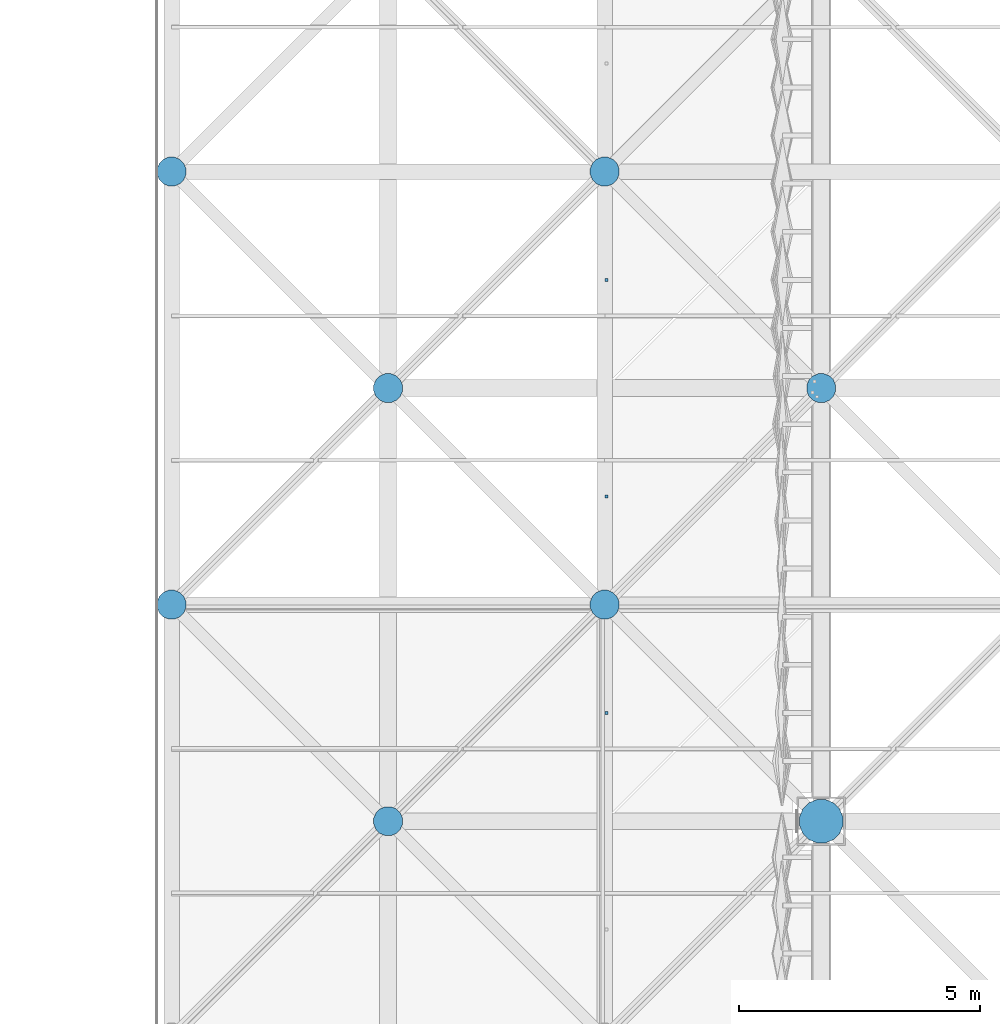
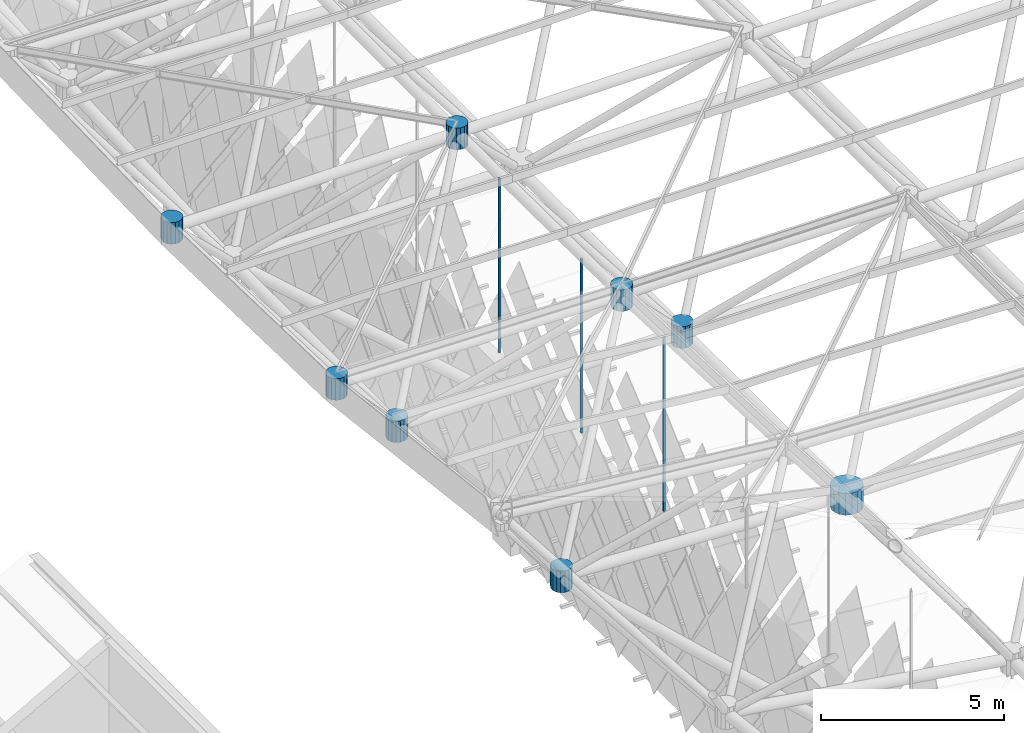
# One storey, part 292 of 437: 11 discrete accessories.
"""IFC4 building model written with IfcOpenShell, lengths in metres."""

import ifcopenshell
import ifcopenshell.guid

model = None  # the IFC model being written
_history = None  # IfcOwnerHistory: only IFC2X3 demands one
_inside = {}  # id of a spatial element -> (the spatial element, [elements in it])
_under = {}  # id of a project, library or spatial element -> (it, [spatial elements below it])
_declared = {}  # id of a project -> (the project, [libraries it declares])
_typed = {}  # id of a type object -> (the type object, [elements of that type])
_made_of = {}  # id of a material, layer set ... -> (it, [elements and type objects made of it])


def new_model(schema):
    """Start an empty IFC model of exactly this schema.

    Asked for "IFC4X3", IfcOpenShell would pick the latest addendum, in which some entities
    have other attributes; the version numbers below select the first issue.
    IFC2X3 requires an IfcOwnerHistory on every rooted entity: one is made here for all.
    """
    global model, _history
    if schema == "IFC4X3":
        model = ifcopenshell.file(schema_version=(4, 3, 0, 0))
    else:
        model = ifcopenshell.file(schema=schema)
    _inside.clear()
    _under.clear()
    _declared.clear()
    _typed.clear()
    _made_of.clear()
    _history = None
    if model.schema == "IFC2X3":
        org = make("IfcOrganization", Name="unknown")
        user = make(
            "IfcPersonAndOrganization",
            ThePerson=make("IfcPerson", FamilyName="unknown"),
            TheOrganization=org,
        )
        app = make(
            "IfcApplication",
            ApplicationDeveloper=org,
            Version="unknown",
            ApplicationFullName="unknown",
            ApplicationIdentifier="unknown",
        )
        _history = make(
            "IfcOwnerHistory",
            OwningUser=user,
            OwningApplication=app,
            ChangeAction="ADDED",
            CreationDate=0,
        )
    return model


def make(cls, **values):
    """One entity of the class cls with the attributes given. An attribute that is None is left unset."""
    return model.create_entity(
        cls, **{name: value for name, value in values.items() if value is not None}
    )


def rooted(cls, **values):
    """An entity with a GlobalId (a new one), such as an element, a storey or a relation."""
    return make(cls, GlobalId=ifcopenshell.guid.new(), OwnerHistory=_history, **values)


def si_unit(unit_type, name, prefix=None):
    """IfcSIUnit, for example si_unit("LENGTHUNIT", "METRE", prefix="MILLI")."""
    return make("IfcSIUnit", UnitType=unit_type, Prefix=prefix, Name=name)


def assignment(units):
    """IfcUnitAssignment: the units of a project."""
    return None if units is None else make("IfcUnitAssignment", Units=units)


def point(xyz):
    """IfcCartesianPoint."""
    return None if xyz is None else make("IfcCartesianPoint", Coordinates=xyz)


def direction(xyz):
    """IfcDirection."""
    return None if xyz is None else make("IfcDirection", DirectionRatios=xyz)


def frame(location, z_axis=None, x_axis=None):
    """IfcAxis2Placement3D, a coordinate frame: its origin and axes. An axis left out is left unset."""
    return make(
        "IfcAxis2Placement3D",
        Location=point(location),
        Axis=direction(z_axis),
        RefDirection=direction(x_axis),
    )


def origin():
    """The frame at (0, 0, 0) with its axes left unset."""
    return frame((0.0, 0.0, 0.0))


def place(relative_to, where):
    """IfcLocalPlacement: puts the frame where relative to a parent placement (None: the world)."""
    return make(
        "IfcLocalPlacement", PlacementRelTo=relative_to, RelativePlacement=where
    )


def context(
    kind, dimensions, precision=None, world=None, true_north=None, identifier=None
):
    """IfcGeometricRepresentationContext, for example the 3D "Model" context."""
    return make(
        "IfcGeometricRepresentationContext",
        ContextIdentifier=identifier,
        ContextType=kind,
        CoordinateSpaceDimension=dimensions,
        Precision=precision,
        WorldCoordinateSystem=world,
        TrueNorth=true_north,
    )


def subcontext(parent, identifier, kind, view, scale=None):
    """IfcGeometricRepresentationSubContext, for example "Body" below "Model"."""
    return make(
        "IfcGeometricRepresentationSubContext",
        ContextIdentifier=identifier,
        ContextType=kind,
        ParentContext=parent,
        TargetScale=scale,
        TargetView=view,
    )


def project(units=None, contexts=None):
    """IfcProject with its units and contexts."""
    return rooted(
        "IfcProject",
        Name="project",
        RepresentationContexts=contexts,
        UnitsInContext=assignment(units),
    )


def spatial(cls, under=None, at=None, **own):
    """A site, building, storey or space (cls), placed at a placement, below another one or the project."""
    s = rooted(cls, ObjectPlacement=at, **own)
    if under is not None:
        _under.setdefault(under.id(), (under, []))[1].append(s)
    return s


def polyline(points):
    """IfcPolyline through the points."""
    return make("IfcPolyline", Points=[point(p) for p in points])


def outline(outer, holes=None, kind="AREA"):
    """IfcArbitraryClosedProfileDef: a profile drawn as a closed curve; with holes, ...WithVoids."""
    if holes is None:
        return make("IfcArbitraryClosedProfileDef", ProfileType=kind, OuterCurve=outer)
    return make(
        "IfcArbitraryProfileDefWithVoids",
        ProfileType=kind,
        OuterCurve=outer,
        InnerCurves=holes,
    )


def extrude(swept, where, along, depth):
    """IfcExtrudedAreaSolid: the profile swept, set in the frame where, extruded along a direction by depth."""
    return make(
        "IfcExtrudedAreaSolid",
        SweptArea=swept,
        Position=where,
        ExtrudedDirection=direction(along),
        Depth=depth,
    )


def shape(context_of_items, identifier, shape_type, items):
    """IfcShapeRepresentation: the items that make up one representation, for example the "Body"."""
    return make(
        "IfcShapeRepresentation",
        ContextOfItems=context_of_items,
        RepresentationIdentifier=identifier,
        RepresentationType=shape_type,
        Items=items,
    )


def material(Name=None, Category=None):
    """IfcMaterial."""
    return make("IfcMaterial", Name=Name, Category=Category)


def made_of(thing, what):
    """Note that an element or type object is made of a material, layer set ...; save() writes the relation."""
    if what is not None:
        _made_of.setdefault(what.id(), (what, []))[1].append(thing)
    return thing


def type_object(cls, material=None, **own):
    """A type object (cls), such as IfcWallType, which elements share."""
    return made_of(rooted(cls, **own), material)


def element(
    cls,
    number,
    at=None,
    inside=None,
    cuts=None,
    type_object=None,
    material=None,
    context=None,
    identifier="Body",
    shape_type=None,
    held_by="IfcProductDefinitionShape",
    body=None,
    shapes=None,
    **own,
):
    """One element of the class cls, such as IfcWall. Its Tag is "e" and its number.

    at: its placement. inside: the storey or other place that contains it. cuts: it is an
    opening in that element (IfcRelVoidsElement). A single representation is given by context,
    identifier, shape_type and body (its items); several are given by shapes. held_by: the class
    of the entity that holds the representations. save() writes the other relations.
    """
    e = rooted(cls, Tag="e%d" % number, ObjectPlacement=at, **own)
    if body is not None:
        shapes = [shape(context, identifier, shape_type, body)]
    if shapes is not None:
        e.Representation = make(held_by, Representations=shapes)
    if inside is not None:
        _inside.setdefault(inside.id(), (inside, []))[1].append(e)
    if cuts is not None:
        rooted(
            "IfcRelVoidsElement", RelatingBuildingElement=cuts, RelatedOpeningElement=e
        )
    if type_object is not None:
        _typed.setdefault(type_object.id(), (type_object, []))[1].append(e)
    return made_of(e, material)


def aggregate(whole, parts):
    """IfcRelAggregates: a whole, such as a stair, and the parts it consists of."""
    return rooted("IfcRelAggregates", RelatingObject=whole, RelatedObjects=parts)


def save(model, path):
    """Write the relations noted so far, then the file.

    IfcRelAggregates (storeys below a building ...), IfcRelContainedInSpatialStructure (elements
    in a storey), IfcRelDefinesByType, IfcRelAssociatesMaterial and IfcRelDeclares: one each for
    every whole, place, type object, material and project.
    """
    for whole, parts in _under.values():
        aggregate(whole, parts)
    for where, things in _inside.values():
        rooted(
            "IfcRelContainedInSpatialStructure",
            RelatedElements=things,
            RelatingStructure=where,
        )
    for kind, things in _typed.values():
        rooted("IfcRelDefinesByType", RelatedObjects=things, RelatingType=kind)
    for what, things in _made_of.values():
        rooted("IfcRelAssociatesMaterial", RelatedObjects=things, RelatingMaterial=what)
    for by, libraries in _declared.values():
        rooted("IfcRelDeclares", RelatingContext=by, RelatedDefinitions=libraries)
    model.write(path)


model = new_model("IFC4")

# Units and contexts
model_context = context("Model", 3, precision=1e-05, world=origin(), true_north=direction((0.0, 1.0)))
body_context = subcontext(model_context, "Body", "Model", "MODEL_VIEW")
ifc_project = project(units=[si_unit("LENGTHUNIT", "METRE"), si_unit("AREAUNIT", "SQUARE_METRE"), si_unit("VOLUMEUNIT", "CUBIC_METRE"), si_unit("PLANEANGLEUNIT", "RADIAN"), si_unit("MASSUNIT", "GRAM", prefix="KILO")], contexts=[model_context])

# Site, building, storey
site_placement = place(None, origin())
site = spatial("IfcSite", under=ifc_project, at=site_placement, CompositionType="ELEMENT")
building_placement = place(site_placement, origin())
building = spatial("IfcBuilding", under=site, at=building_placement, Name="Opaline Strait Convention Centre", CompositionType="ELEMENT")
storey_placement = place(building_placement, frame((0.0, 0.0, 11.5)))
storey = spatial("IfcBuildingStorey", under=building, at=storey_placement, Name="L02", CompositionType="ELEMENT", Elevation=11.5)

# Discrete accessories
ifc_material_1 = material(Name="Steel Q355B", Category="steel")
discrete_accessory_type_1 = type_object("IfcDiscreteAccessoryType", Name="Soffit hanger 60x60 steel", PredefinedType="BRACKET", material=ifc_material_1)
discrete_accessory_1_placement = place(storey_placement, frame((0.0, 0.0, 12.1640625)))
element("IfcDiscreteAccessory", 1, at=discrete_accessory_1_placement, inside=storey, type_object=discrete_accessory_type_1, Name="Soffit hanger", PredefinedType="BRACKET", context=body_context, shape_type="SweptSolid", body=[
    extrude(outline(polyline([(94.5048828125, 92.219970703125), (94.56494140625, 92.219970703125), (94.56494140625, 92.280029296875), (94.5048828125, 92.280029296875), (94.5048828125, 92.219970703125)])), origin(), (0.0, 0.0, 1.0), 5.79443359375),
])
discrete_accessory_2_placement = place(storey_placement, frame((0.0, 0.0, 12.051513671875)))
element("IfcDiscreteAccessory", 2, at=discrete_accessory_2_placement, inside=storey, type_object=discrete_accessory_type_1, Name="Soffit hanger", PredefinedType="BRACKET", context=body_context, shape_type="SweptSolid", body=[
    extrude(outline(polyline([(94.5048828125, 96.719970703125), (94.56494140625, 96.719970703125), (94.56494140625, 96.780029296875), (94.5048828125, 96.780029296875), (94.5048828125, 96.719970703125)])), origin(), (0.0, 0.0, 1.0), 5.806640625),
])
discrete_accessory_3_placement = place(storey_placement, frame((0.0, 0.0, 11.994384765625)))
element("IfcDiscreteAccessory", 3, at=discrete_accessory_3_placement, inside=storey, type_object=discrete_accessory_type_1, Name="Soffit hanger", PredefinedType="BRACKET", context=body_context, shape_type="SweptSolid", body=[
    extrude(outline(polyline([(94.5048828125, 101.219970703125), (94.56494140625, 101.219970703125), (94.56494140625, 101.280029296875), (94.5048828125, 101.280029296875), (94.5048828125, 101.219970703125)])), origin(), (0.0, 0.0, 1.0), 5.8310546875),
])
ifc_material_2 = material(Name="Cast steel ZG300-500H (300 MPa)", Category="steel")
discrete_accessory_type_2 = type_object("IfcDiscreteAccessoryType", Name="Space frame bearing node hub D900", PredefinedType="USERDEFINED", material=ifc_material_2)
discrete_accessory_4_placement = place(storey_placement, frame((0.0, 0.0, 12.139892578125)))
element("IfcDiscreteAccessory", 4, at=discrete_accessory_4_placement, inside=storey, type_object=discrete_accessory_type_2, Name="Bottom node 2/6", ObjectType="NODE HUB", PredefinedType="USERDEFINED", context=body_context, shape_type="SweptSolid", body=[
    extrude(outline(polyline([(99.449951171875, 90.089599609375), (99.381591796875, 90.2548828125), (99.2548828125, 90.381591796875), (99.089599609375, 90.449951171875), (98.910400390625, 90.449951171875), (98.7451171875, 90.381591796875), (98.618408203125, 90.2548828125), (98.550048828125, 90.089599609375), (98.550048828125, 89.910400390625), (98.618408203125, 89.7451171875), (98.7451171875, 89.618408203125), (98.910400390625, 89.550048828125), (99.089599609375, 89.550048828125), (99.2548828125, 89.618408203125), (99.381591796875, 89.7451171875), (99.449951171875, 89.910400390625), (99.449951171875, 90.089599609375)])), origin(), (0.0, 0.0, 1.0), 0.72021484375),
])
discrete_accessory_type_3 = type_object("IfcDiscreteAccessoryType", Name="Space frame node hub D600", PredefinedType="USERDEFINED", material=ifc_material_2)
discrete_accessory_5_placement = place(storey_placement, frame((0.0, 0.0, 17.8642578125)))
element("IfcDiscreteAccessory", 5, at=discrete_accessory_5_placement, inside=storey, type_object=discrete_accessory_type_3, Name="Top node 1/7", ObjectType="NODE HUB", PredefinedType="USERDEFINED", context=body_context, shape_type="SweptSolid", body=[
    extrude(outline(polyline([(85.800048828125, 94.559814453125), (85.75439453125, 94.669921875), (85.669921875, 94.75439453125), (85.559814453125, 94.800048828125), (85.440185546875, 94.800048828125), (85.330078125, 94.75439453125), (85.24560546875, 94.669921875), (85.199951171875, 94.559814453125), (85.199951171875, 94.440185546875), (85.24560546875, 94.330078125), (85.330078125, 94.24560546875), (85.440185546875, 94.199951171875), (85.559814453125, 94.199951171875), (85.669921875, 94.24560546875), (85.75439453125, 94.330078125), (85.800048828125, 94.440185546875), (85.800048828125, 94.559814453125)])), origin(), (0.0, 0.0, 1.0), 0.719970703125),
])
discrete_accessory_6_placement = place(storey_placement, frame((0.0, 0.0, 17.611572265625)))
element("IfcDiscreteAccessory", 6, at=discrete_accessory_6_placement, inside=storey, type_object=discrete_accessory_type_3, Name="Top node 1/8", ObjectType="NODE HUB", PredefinedType="USERDEFINED", context=body_context, shape_type="SweptSolid", body=[
    extrude(outline(polyline([(85.800048828125, 103.559814453125), (85.75439453125, 103.669921875), (85.669921875, 103.75439453125), (85.559814453125, 103.800048828125), (85.440185546875, 103.800048828125), (85.330078125, 103.75439453125), (85.24560546875, 103.669921875), (85.199951171875, 103.559814453125), (85.199951171875, 103.440185546875), (85.24560546875, 103.330078125), (85.330078125, 103.24560546875), (85.440185546875, 103.199951171875), (85.559814453125, 103.199951171875), (85.669921875, 103.24560546875), (85.75439453125, 103.330078125), (85.800048828125, 103.440185546875), (85.800048828125, 103.559814453125)])), origin(), (0.0, 0.0, 1.0), 0.719970703125),
])
discrete_accessory_7_placement = place(storey_placement, frame((0.0, 0.0, 17.677001953125)))
element("IfcDiscreteAccessory", 7, at=discrete_accessory_7_placement, inside=storey, type_object=discrete_accessory_type_3, Name="Top node 2/7", ObjectType="NODE HUB", PredefinedType="USERDEFINED", context=body_context, shape_type="SweptSolid", body=[
    extrude(outline(polyline([(94.800048828125, 94.559814453125), (94.75439453125, 94.669921875), (94.669921875, 94.75439453125), (94.559814453125, 94.800048828125), (94.440185546875, 94.800048828125), (94.330078125, 94.75439453125), (94.24560546875, 94.669921875), (94.199951171875, 94.559814453125), (94.199951171875, 94.440185546875), (94.24560546875, 94.330078125), (94.330078125, 94.24560546875), (94.440185546875, 94.199951171875), (94.559814453125, 94.199951171875), (94.669921875, 94.24560546875), (94.75439453125, 94.330078125), (94.800048828125, 94.440185546875), (94.800048828125, 94.559814453125)])), origin(), (0.0, 0.0, 1.0), 0.719970703125),
])
discrete_accessory_8_placement = place(storey_placement, frame((0.0, 0.0, 17.611572265625)))
element("IfcDiscreteAccessory", 8, at=discrete_accessory_8_placement, inside=storey, type_object=discrete_accessory_type_3, Name="Top node 2/8", ObjectType="NODE HUB", PredefinedType="USERDEFINED", context=body_context, shape_type="SweptSolid", body=[
    extrude(outline(polyline([(94.800048828125, 103.559814453125), (94.75439453125, 103.669921875), (94.669921875, 103.75439453125), (94.559814453125, 103.800048828125), (94.440185546875, 103.800048828125), (94.330078125, 103.75439453125), (94.24560546875, 103.669921875), (94.199951171875, 103.559814453125), (94.199951171875, 103.440185546875), (94.24560546875, 103.330078125), (94.330078125, 103.24560546875), (94.440185546875, 103.199951171875), (94.559814453125, 103.199951171875), (94.669921875, 103.24560546875), (94.75439453125, 103.330078125), (94.800048828125, 103.440185546875), (94.800048828125, 103.559814453125)])), origin(), (0.0, 0.0, 1.0), 0.719970703125),
])
discrete_accessory_9_placement = place(storey_placement, frame((0.0, 0.0, 12.599365234375)))
element("IfcDiscreteAccessory", 9, at=discrete_accessory_9_placement, inside=storey, type_object=discrete_accessory_type_3, Name="Bottom node 1/6", ObjectType="NODE HUB", PredefinedType="USERDEFINED", context=body_context, shape_type="SweptSolid", body=[
    extrude(outline(polyline([(90.300048828125, 90.059814453125), (90.25439453125, 90.169921875), (90.169921875, 90.25439453125), (90.059814453125, 90.300048828125), (89.940185546875, 90.300048828125), (89.830078125, 90.25439453125), (89.74560546875, 90.169921875), (89.699951171875, 90.059814453125), (89.699951171875, 89.940185546875), (89.74560546875, 89.830078125), (89.830078125, 89.74560546875), (89.940185546875, 89.699951171875), (90.059814453125, 89.699951171875), (90.169921875, 89.74560546875), (90.25439453125, 89.830078125), (90.300048828125, 89.940185546875), (90.300048828125, 90.059814453125)])), origin(), (0.0, 0.0, 1.0), 0.719970703125),
])
discrete_accessory_10_placement = place(storey_placement, frame((0.0, 0.0, 12.14892578125)))
element("IfcDiscreteAccessory", 10, at=discrete_accessory_10_placement, inside=storey, type_object=discrete_accessory_type_3, Name="Bottom node 1/7", ObjectType="NODE HUB", PredefinedType="USERDEFINED", context=body_context, shape_type="SweptSolid", body=[
    extrude(outline(polyline([(90.300048828125, 99.059814453125), (90.25439453125, 99.169921875), (90.169921875, 99.25439453125), (90.059814453125, 99.300048828125), (89.940185546875, 99.300048828125), (89.830078125, 99.25439453125), (89.74560546875, 99.169921875), (89.699951171875, 99.059814453125), (89.699951171875, 98.940185546875), (89.74560546875, 98.830078125), (89.830078125, 98.74560546875), (89.940185546875, 98.699951171875), (90.059814453125, 98.699951171875), (90.169921875, 98.74560546875), (90.25439453125, 98.830078125), (90.300048828125, 98.940185546875), (90.300048828125, 99.059814453125)])), origin(), (0.0, 0.0, 1.0), 0.719970703125),
])
discrete_accessory_11_placement = place(storey_placement, frame((0.0, 0.0, 12.139892578125)))
element("IfcDiscreteAccessory", 11, at=discrete_accessory_11_placement, inside=storey, type_object=discrete_accessory_type_3, Name="Bottom node 2/7", ObjectType="NODE HUB", PredefinedType="USERDEFINED", context=body_context, shape_type="SweptSolid", body=[
    extrude(outline(polyline([(99.300048828125, 99.059814453125), (99.25439453125, 99.169921875), (99.169921875, 99.25439453125), (99.059814453125, 99.300048828125), (98.940185546875, 99.300048828125), (98.830078125, 99.25439453125), (98.74560546875, 99.169921875), (98.699951171875, 99.059814453125), (98.699951171875, 98.940185546875), (98.74560546875, 98.830078125), (98.830078125, 98.74560546875), (98.940185546875, 98.699951171875), (99.059814453125, 98.699951171875), (99.169921875, 98.74560546875), (99.25439453125, 98.830078125), (99.300048828125, 98.940185546875), (99.300048828125, 99.059814453125)])), origin(), (0.0, 0.0, 1.0), 0.72021484375),
])

save(model, "model.ifc")
